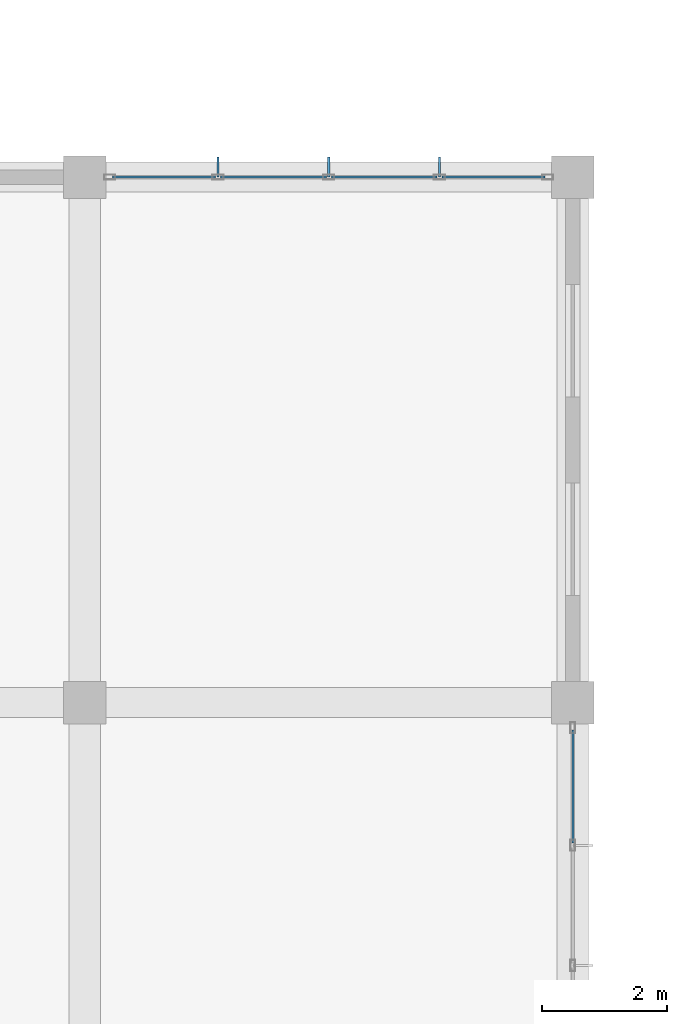
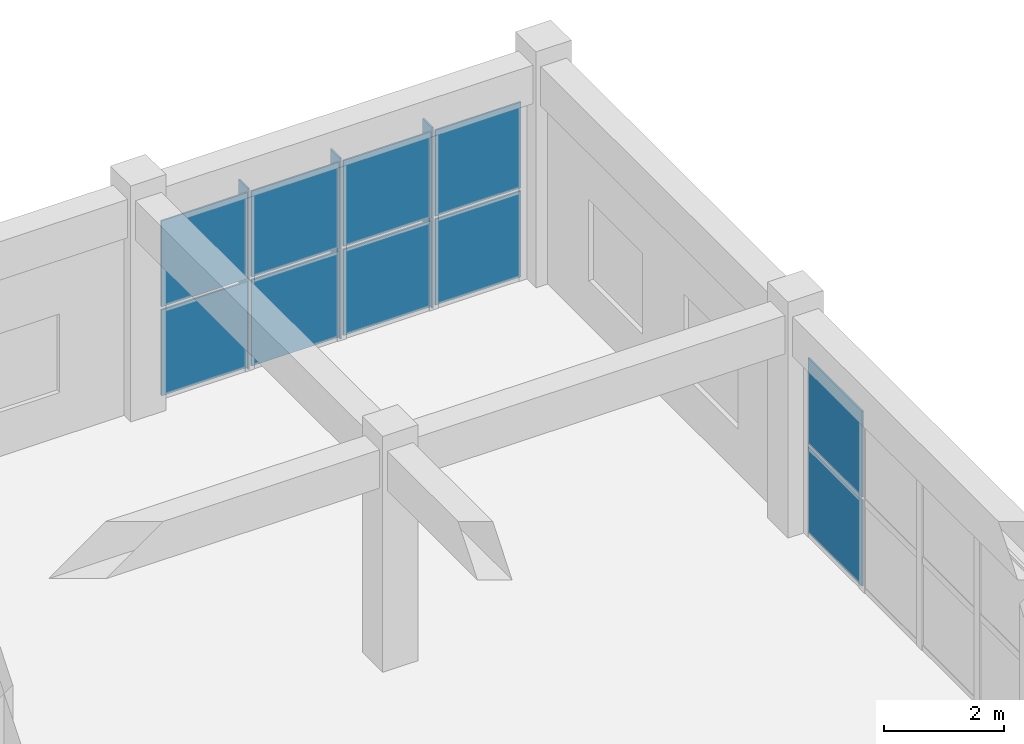
# One storey, part 154 of 175: 13 plates, 2 elements without a shape of their own.
"""IFC4 building model written with IfcOpenShell, lengths in metres."""

from ifc_helpers import new_model, si_unit, direction, frame, origin, origin_2d, place, context, subcontext, project, spatial, polyline, rectangle, outline, extrude, material, layer, layer_set, type_object, element, aggregate, save


model = new_model("IFC4")

# Units and contexts
model_context = context("Model", 3, precision=1e-05, world=origin(), true_north=direction((0.0, 1.0)))
body_context = subcontext(model_context, "Body", "Model", "MODEL_VIEW")
ifc_project = project(units=[si_unit("LENGTHUNIT", "METRE"), si_unit("AREAUNIT", "SQUARE_METRE"), si_unit("VOLUMEUNIT", "CUBIC_METRE"), si_unit("PLANEANGLEUNIT", "RADIAN"), si_unit("MASSUNIT", "GRAM", prefix="KILO")], contexts=[model_context])

# Site, building, storey
site_placement = place(None, origin())
site = spatial("IfcSite", under=ifc_project, at=site_placement, CompositionType="ELEMENT")
building_placement = place(site_placement, origin())
building = spatial("IfcBuilding", under=site, at=building_placement, Name="Zizhar Promenade General Hospital", CompositionType="ELEMENT")
storey_placement = place(building_placement, frame((0.0, 0.0, 4.800048828125)))
storey = spatial("IfcBuildingStorey", under=building, at=storey_placement, Name="L01", CompositionType="ELEMENT", Elevation=4.800048828125)

# Curtain wall, plates
ifc_material_1 = material(Name="Anodised aluminium 6063-T6 and low-E glass", Category="aluminium")
ifc_layer_1 = layer(ifc_material_1, 0.159912109375)
ifc_layer_set_1 = layer_set([ifc_layer_1], Name="Anodised aluminium 6063-T6 and low-E glass")
curtain_wall_type = type_object("IfcCurtainWallType", Name="CW-CLN-EXT", PredefinedType="NOTDEFINED", material=ifc_layer_set_1)
curtain_wall_1_placement = place(storey_placement, origin())
curtain_wall_1 = element("IfcCurtainWall", 1, at=curtain_wall_1_placement, inside=storey, type_object=curtain_wall_type, Name="Outpatient North Curtain Wall L01-24", PredefinedType="NOTDEFINED")
ifc_material_2 = material(Name="Low-E solar-control glass", Category="glass")
ifc_layer_2 = layer(ifc_material_2, 0.031982421875)
ifc_layer_set_2 = layer_set([ifc_layer_2], Name="Low-E solar-control glass")
plate_type_1 = type_object("IfcPlateType", Name="CWP-GLZ-32", PredefinedType="CURTAIN_PANEL", material=ifc_layer_set_2)
plate_1_placement = place(storey_placement, frame((188.465087890625, 109.199951171875, 0.06005859375), z_axis=(0.0, 0.0, 1.0), x_axis=(1.0, 0.0, 0.0)))
plate_1 = element("IfcPlate", 2, at=plate_1_placement, type_object=plate_type_1, Name="CW-09 panel 1.1", PredefinedType="CURTAIN_PANEL", context=body_context, shape_type="SweptSolid", body=[
    extrude(rectangle(XDim=1.64990234375, YDim=0.031982421875, at=origin_2d()), origin(), (0.0, 0.0, 1.0), 1.75),
])
plate_2_placement = place(storey_placement, frame((188.465087890625, 109.199951171875, 1.869873046875), z_axis=(0.0, 0.0, 1.0), x_axis=(1.0, 0.0, 0.0)))
plate_2 = element("IfcPlate", 3, at=plate_2_placement, type_object=plate_type_1, Name="CW-09 panel 1.2", PredefinedType="CURTAIN_PANEL", context=body_context, shape_type="SweptSolid", body=[
    extrude(rectangle(XDim=1.64990234375, YDim=0.031982421875, at=origin_2d()), origin(), (0.0, 0.0, 1.0), 1.75),
])
plate_3_placement = place(storey_placement, frame((190.215087890625, 109.199951171875, 0.06005859375), z_axis=(0.0, 0.0, 1.0), x_axis=(1.0, 0.0, 0.0)))
plate_3 = element("IfcPlate", 4, at=plate_3_placement, type_object=plate_type_1, Name="CW-09 panel 2.1", PredefinedType="CURTAIN_PANEL", context=body_context, shape_type="SweptSolid", body=[
    extrude(rectangle(XDim=1.68994140625, YDim=0.031982421875, at=origin_2d()), origin(), (0.0, 0.0, 1.0), 1.75),
])
plate_4_placement = place(storey_placement, frame((190.215087890625, 109.199951171875, 1.869873046875), z_axis=(0.0, 0.0, 1.0), x_axis=(1.0, 0.0, 0.0)))
plate_4 = element("IfcPlate", 5, at=plate_4_placement, type_object=plate_type_1, Name="CW-09 panel 2.2", PredefinedType="CURTAIN_PANEL", context=body_context, shape_type="SweptSolid", body=[
    extrude(rectangle(XDim=1.68994140625, YDim=0.031982421875, at=origin_2d()), origin(), (0.0, 0.0, 1.0), 1.75),
])
plate_5_placement = place(storey_placement, frame((191.985107421875, 109.199951171875, 0.06005859375), z_axis=(0.0, 0.0, 1.0), x_axis=(1.0, 0.0, 0.0)))
plate_5 = element("IfcPlate", 6, at=plate_5_placement, type_object=plate_type_1, Name="CW-09 panel 3.1", PredefinedType="CURTAIN_PANEL", context=body_context, shape_type="SweptSolid", body=[
    extrude(rectangle(XDim=1.68994140625, YDim=0.031982421875, at=origin_2d()), origin(), (0.0, 0.0, 1.0), 1.75),
])
plate_6_placement = place(storey_placement, frame((191.985107421875, 109.199951171875, 1.869873046875), z_axis=(0.0, 0.0, 1.0), x_axis=(1.0, 0.0, 0.0)))
plate_6 = element("IfcPlate", 7, at=plate_6_placement, type_object=plate_type_1, Name="CW-09 panel 3.2", PredefinedType="CURTAIN_PANEL", context=body_context, shape_type="SweptSolid", body=[
    extrude(rectangle(XDim=1.68994140625, YDim=0.031982421875, at=origin_2d()), origin(), (0.0, 0.0, 1.0), 1.75),
])
plate_7_placement = place(storey_placement, frame((193.735107421875, 109.199951171875, 0.06005859375), z_axis=(0.0, 0.0, 1.0), x_axis=(1.0, 0.0, 0.0)))
plate_7 = element("IfcPlate", 8, at=plate_7_placement, type_object=plate_type_1, Name="CW-09 panel 4.1", PredefinedType="CURTAIN_PANEL", context=body_context, shape_type="SweptSolid", body=[
    extrude(rectangle(XDim=1.64990234375, YDim=0.031982421875, at=origin_2d()), origin(), (0.0, 0.0, 1.0), 1.75),
])
plate_8_placement = place(storey_placement, frame((193.735107421875, 109.199951171875, 1.869873046875), z_axis=(0.0, 0.0, 1.0), x_axis=(1.0, 0.0, 0.0)))
plate_8 = element("IfcPlate", 9, at=plate_8_placement, type_object=plate_type_1, Name="CW-09 panel 4.2", PredefinedType="CURTAIN_PANEL", context=body_context, shape_type="SweptSolid", body=[
    extrude(rectangle(XDim=1.64990234375, YDim=0.031982421875, at=origin_2d()), origin(), (0.0, 0.0, 1.0), 1.75),
])
aggregate(curtain_wall_1, [plate_1, plate_2, plate_3, plate_4, plate_5, plate_6, plate_7, plate_8])

curtain_wall_2_placement = place(storey_placement, origin())
curtain_wall_2 = element("IfcCurtainWall", 10, at=curtain_wall_2_placement, inside=storey, type_object=curtain_wall_type, Name="Outpatient East Curtain Wall L01-11", PredefinedType="NOTDEFINED")
plate_9_placement = place(storey_placement, frame((195.0, 99.4599609375, 0.06005859375), z_axis=(0.0, 0.0, 1.0), x_axis=(0.0, -1.0, 0.0)))
plate_9 = element("IfcPlate", 11, at=plate_9_placement, type_object=plate_type_1, Name="CW-09 panel 1.1", PredefinedType="CURTAIN_PANEL", context=body_context, shape_type="SweptSolid", body=[
    extrude(rectangle(XDim=1.800048828125, YDim=0.031982421875, at=origin_2d()), origin(), (0.0, 0.0, 1.0), 1.75),
])
plate_10_placement = place(storey_placement, frame((195.0, 99.4599609375, 1.869873046875), z_axis=(0.0, 0.0, 1.0), x_axis=(0.0, -1.0, 0.0)))
plate_10 = element("IfcPlate", 12, at=plate_10_placement, type_object=plate_type_1, Name="CW-09 panel 1.2", PredefinedType="CURTAIN_PANEL", context=body_context, shape_type="SweptSolid", body=[
    extrude(rectangle(XDim=1.800048828125, YDim=0.031982421875, at=origin_2d()), origin(), (0.0, 0.0, 1.0), 1.75),
])
aggregate(curtain_wall_2, [plate_9, plate_10])

# Plates
ifc_material_3 = material(Name="Anodised aluminium 6063-T6", Category="aluminium")
ifc_layer_3 = layer(ifc_material_3, 0.033935546875)
ifc_layer_set_3 = layer_set([ifc_layer_3], Name="Anodised aluminium 6063-T6")
plate_type_2 = type_object("IfcPlateType", Name="FIN-ALU-320", PredefinedType="USERDEFINED", material=ifc_layer_set_3)
plate_11_placement = place(storey_placement, origin())
element("IfcPlate", 13, at=plate_11_placement, inside=storey, type_object=plate_type_2, Name="Outpatient North Curtain Wall L01-24 Solar Fin 1", ObjectType="SOLAR_SHADE", PredefinedType="USERDEFINED", context=body_context, shape_type="SweptSolid", body=[
    extrude(outline(polyline([(189.31298828125, 109.199951171875), (189.346923828125, 109.199951171875), (189.346923828125, 109.52001953125), (189.31298828125, 109.52001953125), (189.31298828125, 109.199951171875)])), origin(), (0.0, 0.0, 1.0), 3.679931640625),
])
plate_12_placement = place(storey_placement, origin())
element("IfcPlate", 14, at=plate_12_placement, inside=storey, type_object=plate_type_2, Name="Outpatient North Curtain Wall L01-24 Solar Fin 2", ObjectType="SOLAR_SHADE", PredefinedType="USERDEFINED", context=body_context, shape_type="SweptSolid", body=[
    extrude(outline(polyline([(191.0830078125, 109.199951171875), (191.116943359375, 109.199951171875), (191.116943359375, 109.52001953125), (191.0830078125, 109.52001953125), (191.0830078125, 109.199951171875)])), origin(), (0.0, 0.0, 1.0), 3.679931640625),
])
plate_13_placement = place(storey_placement, origin())
element("IfcPlate", 15, at=plate_13_placement, inside=storey, type_object=plate_type_2, Name="Outpatient North Curtain Wall L01-24 Solar Fin 3", ObjectType="SOLAR_SHADE", PredefinedType="USERDEFINED", context=body_context, shape_type="SweptSolid", body=[
    extrude(outline(polyline([(192.85302734375, 109.199951171875), (192.886962890625, 109.199951171875), (192.886962890625, 109.52001953125), (192.85302734375, 109.52001953125), (192.85302734375, 109.199951171875)])), origin(), (0.0, 0.0, 1.0), 3.679931640625),
])

save(model, "model.ifc")
